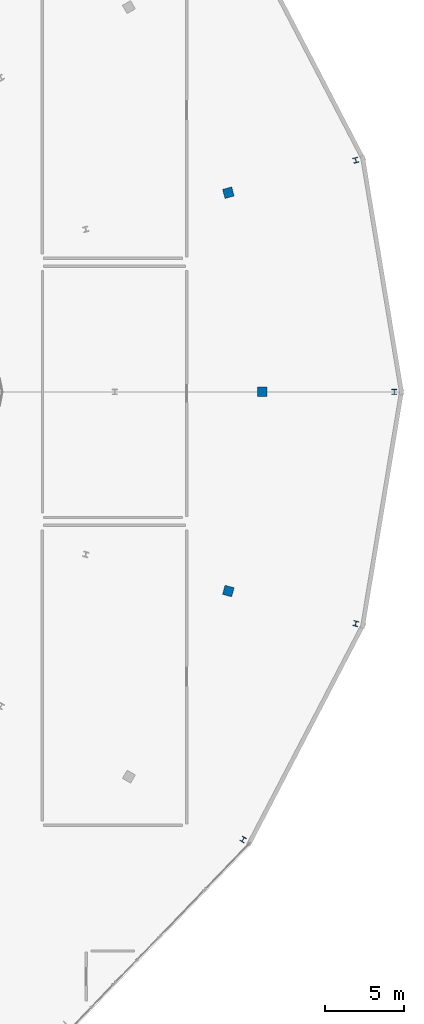
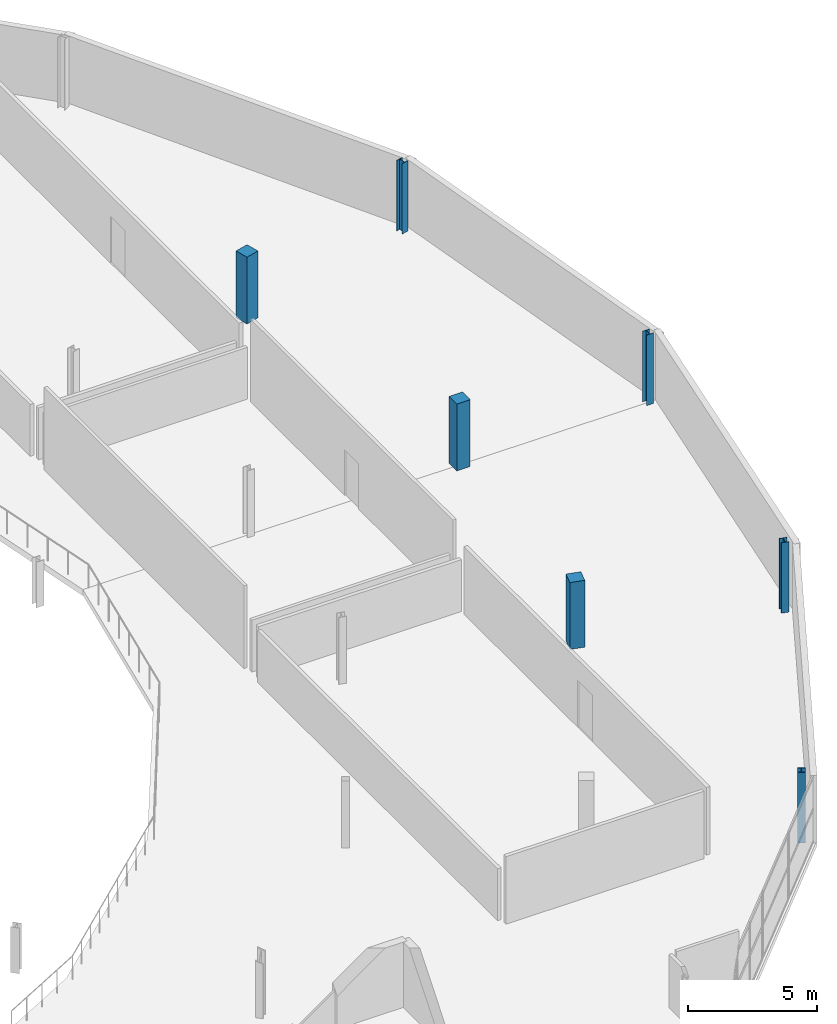
# One storey, part 13 of 35: 7 columns.
"""IFC4 building model written with IfcOpenShell, lengths in metres."""

from ifc_helpers import new_model, si_unit, direction, frame, origin, origin_2d, place, context, subcontext, project, spatial, rectangle, i_section, extrude, material, material_profile, profile_set, type_object, element, save


model = new_model("IFC4")

# Units and contexts
model_context = context("Model", 3, precision=1e-05, world=origin(), true_north=direction((0.0, 1.0)))
body_context = subcontext(model_context, "Body", "Model", "MODEL_VIEW")
ifc_project = project(units=[si_unit("LENGTHUNIT", "METRE"), si_unit("AREAUNIT", "SQUARE_METRE"), si_unit("VOLUMEUNIT", "CUBIC_METRE"), si_unit("PLANEANGLEUNIT", "RADIAN"), si_unit("MASSUNIT", "GRAM", prefix="KILO")], contexts=[model_context])

# Site, building, storey
site_placement = place(None, origin())
site = spatial("IfcSite", under=ifc_project, at=site_placement, CompositionType="ELEMENT")
building_placement = place(site_placement, origin())
building = spatial("IfcBuilding", under=site, at=building_placement, Name="Kalgoora Escarpment Arena", CompositionType="ELEMENT")
storey_placement = place(building_placement, frame((0.0, 0.0, 23.39990234375)))
storey = spatial("IfcBuildingStorey", under=building, at=storey_placement, Name="L05", CompositionType="ELEMENT", Elevation=23.39990234375)

# Columns
ifc_material_1 = material(Name="Structural steel AS/NZS 3679 (300 MPa)", Category="steel")
ifc_material_profile_1 = material_profile(ifc_material_1, i_section(OverallWidth=0.30908203125, OverallDepth=0.321044921875, WebThickness=0.013916015625, FlangeThickness=0.021728515625, at=origin_2d()))
ifc_profile_set_1 = profile_set([ifc_material_profile_1], Name="Structural steel AS/NZS 3679 (300 MPa)")
column_type_1 = type_object("IfcColumnType", Name="COL-COL-310UC137", PredefinedType="COLUMN", material=ifc_profile_set_1)
for number, where, z_axis, x_axis, name in (
    (1, (164.199951171875, 64.0, 0.0), (0.0, 0.0, 1.0), (1.0, 0.0, 0.0), "L05 structural column COL-RCONC2-R01"),
    (2, (161.75341796875, 78.752685546875, 0.0), (0.0, 0.0, 1.0), (0.965925826289, 0.258819045103, 0.0), "L05 structural column COL-RCONC2-R02"),
    (3, (154.58056640625, 35.5, 0.0), (0.0, 0.0, 1.0), (0.866025403784, -0.5, 0.0), "L05 structural column COL-RCONC2-R23"),
    (4, (161.75341796875, 49.247314453125, 0.0), (0.0, 0.0, 1.0), (0.965925826289, -0.258819045103, 0.0), "L05 structural column COL-RCONC2-R24"),
):
    element("IfcColumn", number, at=place(storey_placement, frame(where, z_axis=z_axis, x_axis=x_axis)), inside=storey, type_object=column_type_1, Name=name, PredefinedType="COLUMN", context=body_context, shape_type="SweptSolid", body=[
        extrude(i_section(OverallWidth=0.30908203125, OverallDepth=0.321044921875, WebThickness=0.013916015625, FlangeThickness=0.021728515625, at=origin_2d()), origin(), (0.0, 0.0, 1.0), 3.320068359375),
    ])
ifc_material_2 = material(Name="Concrete N50 (fc' 50 MPa)", Category="concrete")
ifc_material_profile_2 = material_profile(ifc_material_2, rectangle(XDim=0.60009765625, YDim=0.60009765625, at=origin_2d()))
ifc_profile_set_2 = profile_set([ifc_material_profile_2], Name="Concrete N50 (fc' 50 MPa)")
column_type_2 = type_object("IfcColumnType", Name="COL-COL-RC600x600", PredefinedType="COLUMN", material=ifc_profile_set_2)
for number, where, z_axis, x_axis, name in (
    (5, (155.800048828125, 64.0, 0.0), (0.0, 0.0, 1.0), (1.0, 0.0, 0.0), "L05 structural column COL-RCONC1-R01"),
    (6, (153.6396484375, 76.68212890625, 0.0), (0.0, 0.0, 1.0), (0.965925826289, 0.258819045103, 0.0), "L05 structural column COL-RCONC1-R02"),
    (7, (153.6396484375, 51.31787109375, 0.0), (0.0, 0.0, 1.0), (0.965925826289, -0.258819045103, 0.0), "L05 structural column COL-RCONC1-R24"),
):
    element("IfcColumn", number, at=place(storey_placement, frame(where, z_axis=z_axis, x_axis=x_axis)), inside=storey, type_object=column_type_2, Name=name, PredefinedType="COLUMN", context=body_context, shape_type="SweptSolid", body=[
        extrude(rectangle(XDim=0.60009765625, YDim=0.60009765625, at=origin_2d()), origin(), (0.0, 0.0, 1.0), 3.150146484375),
    ])

save(model, "model.ifc")
